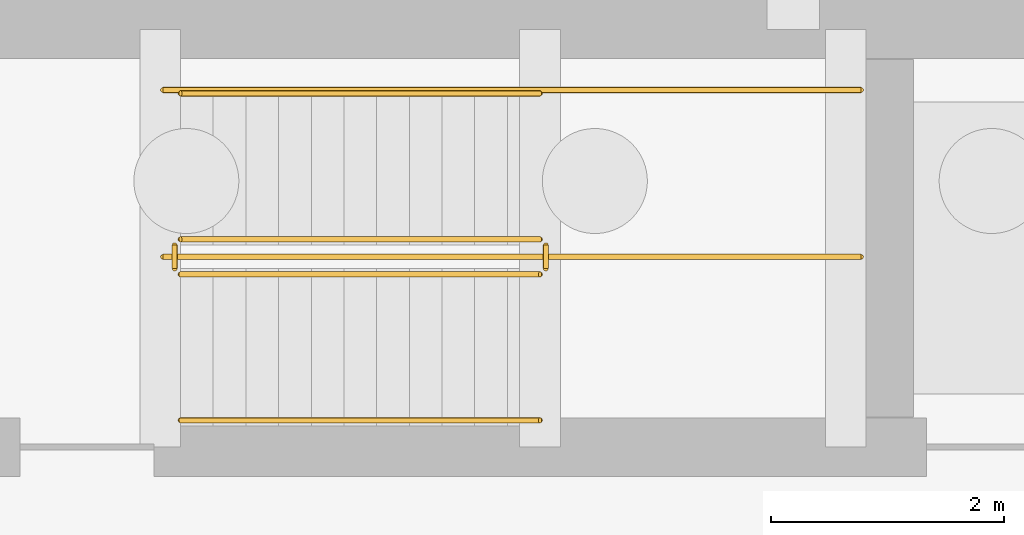
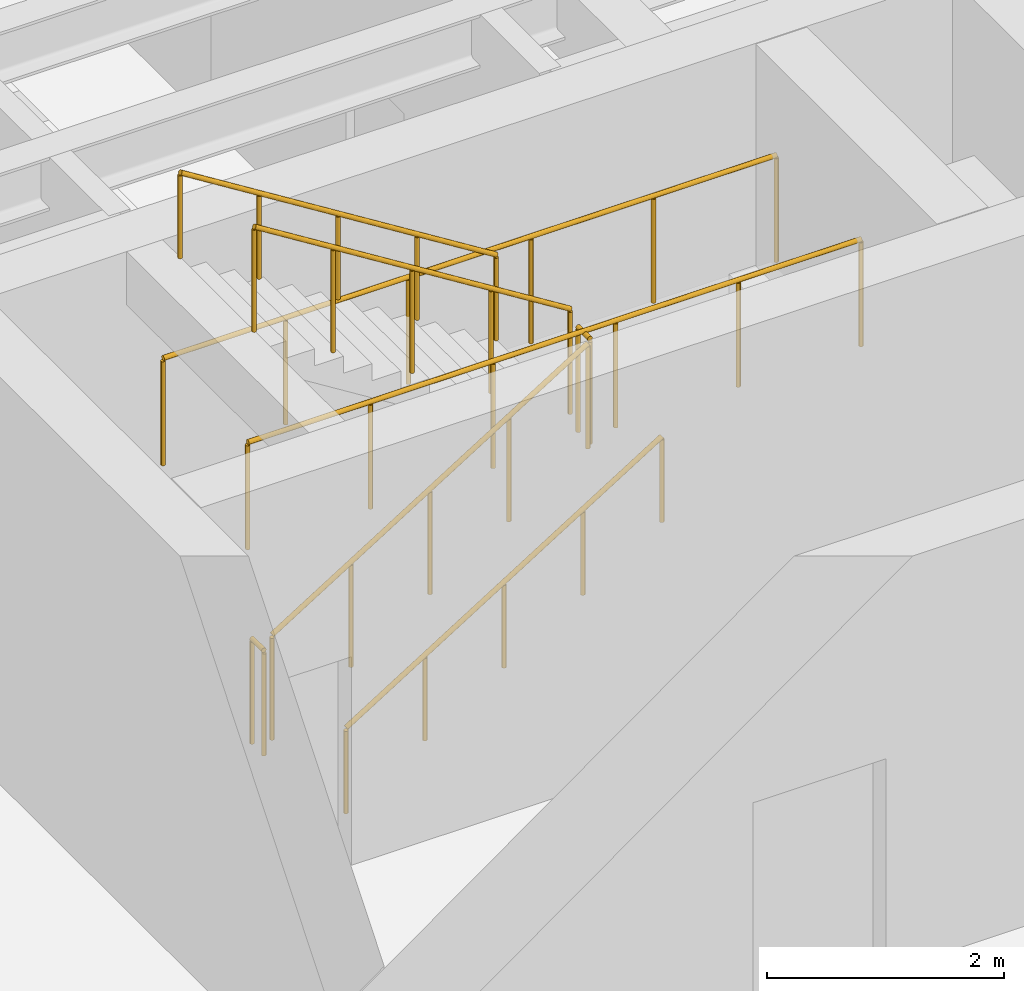
# One storey, part 20 of 22: 8 railings.
"""IFC4 building model written with IfcOpenShell, lengths in metres."""

from ifc_helpers import new_model, si_unit, direction, frame, origin, origin_2d, place, context, subcontext, project, spatial, circle, extrude, material, type_object, element, save


model = new_model("IFC4")

# Units and contexts
model_context = context("Model", 3, precision=1e-05, world=origin(), true_north=direction((0.0, 1.0)))
body_context = subcontext(model_context, "Body", "Model", "MODEL_VIEW")
ifc_project = project(units=[si_unit("LENGTHUNIT", "METRE"), si_unit("AREAUNIT", "SQUARE_METRE"), si_unit("VOLUMEUNIT", "CUBIC_METRE"), si_unit("PLANEANGLEUNIT", "RADIAN"), si_unit("MASSUNIT", "GRAM", prefix="KILO")], contexts=[model_context])

# Site, building, storey
site_placement = place(None, origin())
site = spatial("IfcSite", under=ifc_project, at=site_placement, CompositionType="ELEMENT")
building_placement = place(site_placement, origin())
building = spatial("IfcBuilding", under=site, at=building_placement, Name="Mithqara Police Headquarters", CompositionType="ELEMENT")
storey_placement = place(building_placement, frame((0.0, 0.0, -8.39990234375)))
storey = spatial("IfcBuildingStorey", under=building, at=storey_placement, Name="B2", CompositionType="ELEMENT", Elevation=-8.39990234375)

# Railings
ifc_material = material(Name="Steel S355JR", Category="steel")
railing_type_1 = type_object("IfcRailingType", Name="HANDRAIL 920", PredefinedType="HANDRAIL", material=ifc_material)
railing_1_placement = place(storey_placement, frame((153.75, 46.449951171875, 0.1748046875)))
element("IfcRailing", 1, at=railing_1_placement, inside=storey, type_object=railing_type_1, Name="B2 ST-04 stair handrail 1", PredefinedType="HANDRAIL", context=body_context, shape_type="SweptSolid", body=[
    extrude(circle(Radius=0.02392578125, at=origin_2d()), frame((0.0, 0.0, 0.8759765625), z_axis=(0.847998304005, 0.0, 0.529998940003), x_axis=(0.0, 1.0, 0.0)), (0.0, 0.0, 1.0), 3.632080078125),
    extrude(circle(Radius=0.02099609375, at=origin_2d()), origin(), (0.0, 0.0, 1.0), 0.851806640625),
    extrude(circle(Radius=0.02099609375, at=origin_2d()), frame((0.77001953125, 0.0, 0.481201171875)), (0.0, 0.0, 1.0), 0.851806640625),
    extrude(circle(Radius=0.02099609375, at=origin_2d()), frame((1.5400390625, 0.0, 0.96240234375)), (0.0, 0.0, 1.0), 0.851806640625),
    extrude(circle(Radius=0.02099609375, at=origin_2d()), frame((2.31005859375, 0.0, 1.44384765625)), (0.0, 0.0, 1.0), 0.851806640625),
    extrude(circle(Radius=0.02099609375, at=origin_2d()), frame((3.080078125, 0.0, 1.925048828125)), (0.0, 0.0, 1.0), 0.851806640625),
])
railing_2_placement = place(storey_placement, frame((156.830078125, 49.25, 2.27490234375)))
element("IfcRailing", 2, at=railing_2_placement, inside=storey, type_object=railing_type_1, Name="B2 ST-04 stair handrail 2", PredefinedType="HANDRAIL", context=body_context, shape_type="SweptSolid", body=[
    extrude(circle(Radius=0.02392578125, at=origin_2d()), frame((0.0, 0.0, 0.8759765625), z_axis=(-0.847998304005, 0.0, 0.529998940003), x_axis=(0.0, -1.0, 0.0)), (0.0, 0.0, 1.0), 3.632080078125),
    extrude(circle(Radius=0.02099609375, at=origin_2d()), origin(), (0.0, 0.0, 1.0), 0.851806640625),
    extrude(circle(Radius=0.02099609375, at=origin_2d()), frame((-0.77001953125, 0.0, 0.481201171875)), (0.0, 0.0, 1.0), 0.851806640625),
    extrude(circle(Radius=0.02099609375, at=origin_2d()), frame((-1.5400390625, 0.0, 0.96240234375)), (0.0, 0.0, 1.0), 0.851806640625),
    extrude(circle(Radius=0.02099609375, at=origin_2d()), frame((-2.31005859375, 0.0, 1.44384765625)), (0.0, 0.0, 1.0), 0.851806640625),
    extrude(circle(Radius=0.02099609375, at=origin_2d()), frame((-3.080078125, 0.0, 1.925048828125)), (0.0, 0.0, 1.0), 0.851806640625),
])
railing_type_2 = type_object("IfcRailingType", Name="STAIR GUARD 1120", PredefinedType="GUARDRAIL", material=ifc_material)
railing_3_placement = place(storey_placement, frame((153.75, 47.699951171875, 0.1748046875)))
element("IfcRailing", 3, at=railing_3_placement, inside=storey, type_object=railing_type_2, Name="B2 ST-04 stair guard 1", PredefinedType="GUARDRAIL", context=body_context, shape_type="SweptSolid", body=[
    extrude(circle(Radius=0.02392578125, at=origin_2d()), frame((0.0, 0.0, 1.076171875), z_axis=(0.847998304005, 0.0, 0.529998940003), x_axis=(0.0, 1.0, 0.0)), (0.0, 0.0, 1.0), 3.632080078125),
    extrude(circle(Radius=0.02099609375, at=origin_2d()), origin(), (0.0, 0.0, 1.0), 1.052001953125),
    extrude(circle(Radius=0.02099609375, at=origin_2d()), frame((0.77001953125, 0.0, 0.481201171875)), (0.0, 0.0, 1.0), 1.052001953125),
    extrude(circle(Radius=0.02099609375, at=origin_2d()), frame((1.5400390625, 0.0, 0.96240234375)), (0.0, 0.0, 1.0), 1.052001953125),
    extrude(circle(Radius=0.02099609375, at=origin_2d()), frame((2.31005859375, 0.0, 1.44384765625)), (0.0, 0.0, 1.0), 1.052001953125),
    extrude(circle(Radius=0.02099609375, at=origin_2d()), frame((3.080078125, 0.0, 1.925048828125)), (0.0, 0.0, 1.0), 1.052001953125),
])
railing_4_placement = place(storey_placement, frame((156.8798828125, 47.75, 2.099853515625)))
element("IfcRailing", 4, at=railing_4_placement, inside=storey, type_object=railing_type_2, Name="B2 ST-04 stair guard 2", PredefinedType="GUARDRAIL", context=body_context, shape_type="SweptSolid", body=[
    extrude(circle(Radius=0.02392578125, at=origin_2d()), frame((0.0, 0.0, 1.076171875), z_axis=(0.0, 1.0, 0.0), x_axis=(-1.0, 0.0, 0.0)), (0.0, 0.0, 1.0), 0.199951171875),
    extrude(circle(Radius=0.02099609375, at=origin_2d()), origin(), (0.0, 0.0, 1.0), 1.052001953125),
    extrude(circle(Radius=0.02099609375, at=origin_2d()), frame((0.0, 0.199951171875, 0.0)), (0.0, 0.0, 1.0), 1.052001953125),
])
railing_5_placement = place(storey_placement, frame((156.830078125, 48.0, 2.27490234375)))
element("IfcRailing", 5, at=railing_5_placement, inside=storey, type_object=railing_type_2, Name="B2 ST-04 stair guard 3", PredefinedType="GUARDRAIL", context=body_context, shape_type="SweptSolid", body=[
    extrude(circle(Radius=0.02392578125, at=origin_2d()), frame((0.0, 0.0, 1.076171875), z_axis=(-0.847998304005, 0.0, 0.529998940003), x_axis=(0.0, -1.0, 0.0)), (0.0, 0.0, 1.0), 3.632080078125),
    extrude(circle(Radius=0.02099609375, at=origin_2d()), origin(), (0.0, 0.0, 1.0), 1.052001953125),
    extrude(circle(Radius=0.02099609375, at=origin_2d()), frame((-0.77001953125, 0.0, 0.481201171875)), (0.0, 0.0, 1.0), 1.052001953125),
    extrude(circle(Radius=0.02099609375, at=origin_2d()), frame((-1.5400390625, 0.0, 0.96240234375)), (0.0, 0.0, 1.0), 1.052001953125),
    extrude(circle(Radius=0.02099609375, at=origin_2d()), frame((-2.31005859375, 0.0, 1.44384765625)), (0.0, 0.0, 1.0), 1.052001953125),
    extrude(circle(Radius=0.02099609375, at=origin_2d()), frame((-3.080078125, 0.0, 1.925048828125)), (0.0, 0.0, 1.0), 1.052001953125),
])
railing_6_placement = place(storey_placement, frame((153.699951171875, 47.75, 0.0)))
element("IfcRailing", 6, at=railing_6_placement, inside=storey, type_object=railing_type_2, Name="B2 ST-04 stair guard 4", PredefinedType="GUARDRAIL", context=body_context, shape_type="SweptSolid", body=[
    extrude(circle(Radius=0.02392578125, at=origin_2d()), frame((0.0, 0.0, 1.076171875), z_axis=(0.0, 1.0, 0.0), x_axis=(-1.0, 0.0, 0.0)), (0.0, 0.0, 1.0), 0.199951171875),
    extrude(circle(Radius=0.02099609375, at=origin_2d()), origin(), (0.0, 0.0, 1.0), 1.052001953125),
    extrude(circle(Radius=0.02099609375, at=origin_2d()), frame((0.0, 0.199951171875, 0.0)), (0.0, 0.0, 1.0), 1.052001953125),
])
for number, where, name in (
    (7, (153.60009765625, 47.85009765625, 2.099853515625), "B2 ST-04 Half-Landing Guard IN"),
    (8, (153.60009765625, 49.280029296875, 2.099853515625), "B2 ST-04 Half-Landing Guard OUT"),
):
    element("IfcRailing", number, at=place(storey_placement, frame(where)), inside=storey, type_object=railing_type_2, Name=name, PredefinedType="GUARDRAIL", context=body_context, shape_type="SweptSolid", body=[
        extrude(circle(Radius=0.02392578125, at=origin_2d()), frame((0.0, 0.0, 1.09619140625), z_axis=(1.0, 0.0, 0.0), x_axis=(0.0, 1.0, 0.0)), (0.0, 0.0, 1.0), 5.97998046875),
        extrude(circle(Radius=0.02099609375, at=origin_2d()), origin(), (0.0, 0.0, 1.0), 1.072021484375),
        extrude(circle(Radius=0.02099609375, at=origin_2d()), frame((1.196044921875, 0.0, 0.0)), (0.0, 0.0, 1.0), 1.072021484375),
        extrude(circle(Radius=0.02099609375, at=origin_2d()), frame((2.39208984375, 0.0, 0.0)), (0.0, 0.0, 1.0), 1.072021484375),
        extrude(circle(Radius=0.02099609375, at=origin_2d()), frame((3.587890625, 0.0, 0.0)), (0.0, 0.0, 1.0), 1.072021484375),
        extrude(circle(Radius=0.02099609375, at=origin_2d()), frame((4.783935546875, 0.0, 0.0)), (0.0, 0.0, 1.0), 1.072021484375),
        extrude(circle(Radius=0.02099609375, at=origin_2d()), frame((5.97998046875, 0.0, 0.0)), (0.0, 0.0, 1.0), 1.072021484375),
    ])

save(model, "model.ifc")
